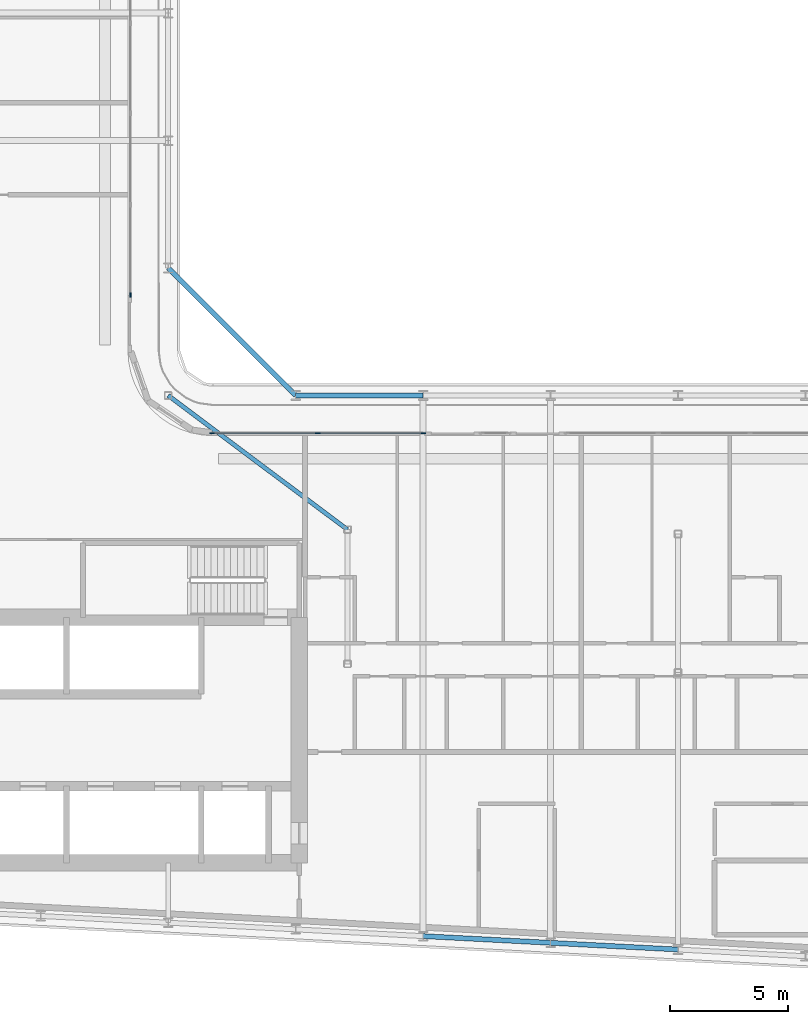
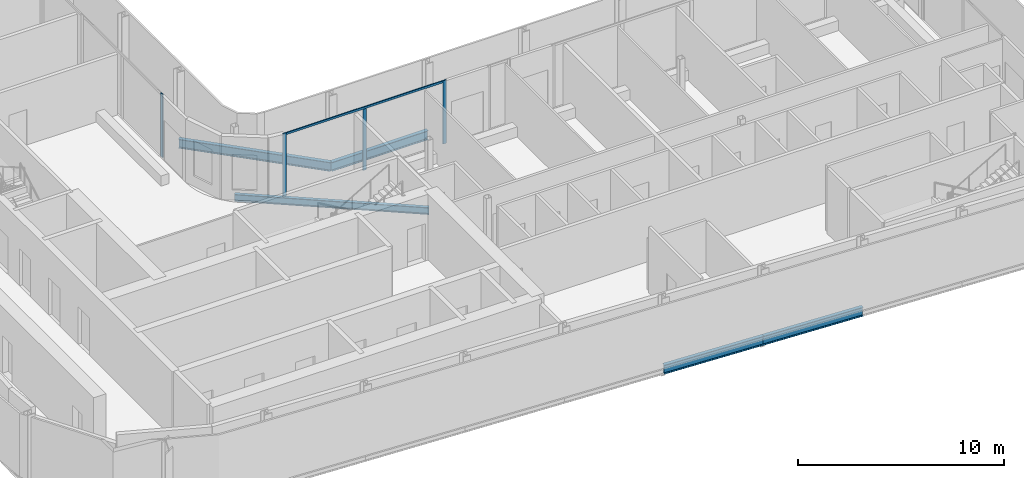
# One storey, part 4 of 23: 5 beams, 5 members, 2 elements without a shape of their own.
"""IFC4 building model written with IfcOpenShell, lengths in metres."""

from ifc_helpers import new_model, si_unit, direction, frame, origin, origin_2d, place, context, subcontext, project, spatial, rectangle, i_section, extrude, material, layer, layer_set, material_profile, profile_set, type_object, element, aggregate, save


model = new_model("IFC4")

# Units and contexts
model_context = context("Model", 3, precision=1e-05, world=origin(), true_north=direction((0.0, 1.0)))
body_context = subcontext(model_context, "Body", "Model", "MODEL_VIEW")
ifc_project = project(units=[si_unit("LENGTHUNIT", "METRE"), si_unit("AREAUNIT", "SQUARE_METRE"), si_unit("VOLUMEUNIT", "CUBIC_METRE"), si_unit("PLANEANGLEUNIT", "RADIAN"), si_unit("MASSUNIT", "GRAM", prefix="KILO")], contexts=[model_context])

# Site, building, storey
site_placement = place(None, origin())
site = spatial("IfcSite", under=ifc_project, at=site_placement, CompositionType="ELEMENT")
building_placement = place(site_placement, origin())
building = spatial("IfcBuilding", under=site, at=building_placement, Name="Kheshtan School and Residences Tower", CompositionType="ELEMENT")
storey_placement = place(building_placement, frame((0.0, 0.0, 259.10009765625)))
storey = spatial("IfcBuildingStorey", under=building, at=storey_placement, Name="L61", CompositionType="ELEMENT", Elevation=259.10009765625)

# Beams
ifc_material_1 = material(Name="Steel ASTM A992 Grade 50", Category="steel")
ifc_material_profile_1 = material_profile(ifc_material_1, i_section(OverallWidth=0.180908203125, OverallDepth=0.4169921875, WebThickness=0.010986328125, FlangeThickness=0.018310546875, FilletRadius=0.012451171875, at=origin_2d()), Name="W410x85")
ifc_profile_set_1 = profile_set([ifc_material_profile_1], Name="Steel ASTM A992 Grade 50")
beam_type_1 = type_object("IfcBeamType", Name="Beam FB3 W410x85 ASTM A992 Grade 50", PredefinedType="BEAM", material=ifc_profile_set_1)
beam_1_placement = place(storey_placement, frame((47.60009765625, 45.60009765625, -0.358642578125), z_axis=(0.800798828004, -0.598933416222, 0.0), x_axis=(0.598933416222, 0.800798828004, 0.0)))
element("IfcBeam", 1, at=beam_1_placement, inside=storey, type_object=beam_type_1, Name="Floor beam IC", PredefinedType="BEAM", context=body_context, shape_type="SweptSolid", body=[
    extrude(i_section(OverallWidth=0.180908203125, OverallDepth=0.4169921875, WebThickness=0.010986328125, FlangeThickness=0.018310546875, FilletRadius=0.012451171875, at=origin_2d()), origin(), (0.0, 0.0, 1.0), 9.490234375),
])
ifc_material_profile_2 = material_profile(ifc_material_1, i_section(OverallWidth=0.208984375, OverallDepth=0.532958984375, WebThickness=0.01025390625, FlangeThickness=0.015625, FilletRadius=0.013916015625, at=origin_2d()), Name="W530x92")
ifc_profile_set_2 = profile_set([ifc_material_profile_2], Name="Steel ASTM A992 Grade 50")
beam_type_2 = type_object("IfcBeamType", Name="Beam SP3 W530x92 ASTM A992 Grade 50", PredefinedType="BEAM", material=ifc_profile_set_2)
beam_2_placement = place(storey_placement, frame((47.60009765625, 51.0, -0.41650390625), z_axis=(0.707106781187, -0.707106781187, 0.0), x_axis=(0.707106781187, 0.707106781187, 0.0)))
element("IfcBeam", 2, at=beam_2_placement, inside=storey, type_object=beam_type_2, Name="Spandrel beam C079-C061", PredefinedType="BEAM", context=body_context, shape_type="SweptSolid", body=[
    extrude(i_section(OverallWidth=0.208984375, OverallDepth=0.532958984375, WebThickness=0.01025390625, FlangeThickness=0.015625, FilletRadius=0.013916015625, at=origin_2d()), origin(), (0.0, 0.0, 1.0), 7.63671875),
])
beam_3_placement = place(storey_placement, frame((53.0, 45.60009765625, -0.41650390625), z_axis=(1.0, 0.0, 0.0), x_axis=(0.0, 1.0, 0.0)))
element("IfcBeam", 3, at=beam_3_placement, inside=storey, type_object=beam_type_2, Name="Spandrel beam C061-C062", PredefinedType="BEAM", context=body_context, shape_type="SweptSolid", body=[
    extrude(i_section(OverallWidth=0.208984375, OverallDepth=0.532958984375, WebThickness=0.01025390625, FlangeThickness=0.015625, FilletRadius=0.013916015625, at=origin_2d()), origin(), (0.0, 0.0, 1.0), 5.39990234375),
])
beam_4_placement = place(storey_placement, frame((69.199951171875, 22.126953125, -0.41650390625), z_axis=(-0.998620447272, 0.05250906864, 0.0), x_axis=(-0.05250906864, -0.998620447272, 0.0)))
element("IfcBeam", 4, at=beam_4_placement, inside=storey, type_object=beam_type_2, Name="Spandrel beam C014-C016", PredefinedType="BEAM", context=body_context, shape_type="SweptSolid", body=[
    extrude(i_section(OverallWidth=0.208984375, OverallDepth=0.532958984375, WebThickness=0.01025390625, FlangeThickness=0.015625, FilletRadius=0.013916015625, at=origin_2d()), origin(), (0.0, 0.0, 1.0), 5.407470703125),
])
beam_5_placement = place(storey_placement, frame((63.800048828125, 22.410888671875, -0.41650390625), z_axis=(-0.998618203458, 0.052551724256, 0.0), x_axis=(-0.052551724256, -0.998618203458, 0.0)))
element("IfcBeam", 5, at=beam_5_placement, inside=storey, type_object=beam_type_2, Name="Spandrel beam C016-C018", PredefinedType="BEAM", context=body_context, shape_type="SweptSolid", body=[
    extrude(i_section(OverallWidth=0.208984375, OverallDepth=0.532958984375, WebThickness=0.01025390625, FlangeThickness=0.015625, FilletRadius=0.013916015625, at=origin_2d()), origin(), (0.0, 0.0, 1.0), 5.40771484375),
])

# Curtain wall, member
ifc_material_2 = material(Name="Clear low-e glass in thermally broken aluminium frame", Category="aluminium")
ifc_layer = layer(ifc_material_2, 0.199951171875)
ifc_layer_set = layer_set([ifc_layer], Name="Curtain wall CW-L")
curtain_wall_type = type_object("IfcCurtainWallType", Name="Curtain wall CW-L", PredefinedType="NOTDEFINED", material=ifc_layer_set)
curtain_wall_1_placement = place(storey_placement, origin())
curtain_wall_1 = element("IfcCurtainWall", 6, at=curtain_wall_1_placement, inside=storey, type_object=curtain_wall_type, Name="Curtain wall CWL8", PredefinedType="NOTDEFINED")
ifc_material_3 = material(Name="Thermally broken aluminium, dark bronze anodised", Category="aluminium")
ifc_material_profile_3 = material_profile(ifc_material_3, rectangle(XDim=0.06005859375, YDim=0.199951171875, at=origin_2d()), Name="CW-L mullion 60x200")
ifc_profile_set_3 = profile_set([ifc_material_profile_3], Name="Thermally broken aluminium, dark bronze anodised")
member_type_1 = type_object("IfcMemberType", Name="CW-L mullion 60x200", PredefinedType="MULLION", material=ifc_profile_set_3)
member_1_placement = place(storey_placement, frame((46.0, 49.860107421875, 0.0), z_axis=(0.0, 0.0, 1.0), x_axis=(1.0, 0.0, 0.0)))
member_1 = element("IfcMember", 7, at=member_1_placement, type_object=member_type_1, Name="CWL8 mullion 3", PredefinedType="MULLION", context=body_context, shape_type="SweptSolid", body=[
    extrude(rectangle(XDim=0.06005859375, YDim=0.199951171875, at=origin_2d()), origin(), (0.0, 0.0, 1.0), 3.75),
])
aggregate(curtain_wall_1, [member_1])

# Curtain wall, members
curtain_wall_2_placement = place(storey_placement, origin())
curtain_wall_2 = element("IfcCurtainWall", 8, at=curtain_wall_2_placement, inside=storey, type_object=curtain_wall_type, Name="Curtain wall CWL1231", PredefinedType="NOTDEFINED")
member_2_placement = place(storey_placement, frame((49.4599609375, 44.0, 0.0), z_axis=(0.0, 0.0, 1.0), x_axis=(0.0, 1.0, 0.0)))
member_2 = element("IfcMember", 9, at=member_2_placement, type_object=member_type_1, Name="CWL1231 mullion 1", PredefinedType="MULLION", context=body_context, shape_type="SweptSolid", body=[
    extrude(rectangle(XDim=0.06005859375, YDim=0.199951171875, at=origin_2d()), origin(), (0.0, 0.0, 1.0), 3.75),
])
member_3_placement = place(storey_placement, frame((53.941650390625, 44.0, 0.0), z_axis=(0.0, 0.0, 1.0), x_axis=(0.0, 1.0, 0.0)))
member_3 = element("IfcMember", 10, at=member_3_placement, type_object=member_type_1, Name="CWL1231 mullion 2", PredefinedType="MULLION", context=body_context, shape_type="SweptSolid", body=[
    extrude(rectangle(XDim=0.06005859375, YDim=0.199951171875, at=origin_2d()), origin(), (0.0, 0.0, 1.0), 3.6298828125),
])
member_4_placement = place(storey_placement, frame((58.42333984375, 44.0, 0.0), z_axis=(0.0, 0.0, 1.0), x_axis=(0.0, 1.0, 0.0)))
member_4 = element("IfcMember", 11, at=member_4_placement, type_object=member_type_1, Name="CWL1231 mullion 3", PredefinedType="MULLION", context=body_context, shape_type="SweptSolid", body=[
    extrude(rectangle(XDim=0.06005859375, YDim=0.199951171875, at=origin_2d()), origin(), (0.0, 0.0, 1.0), 3.75),
])
ifc_material_profile_4 = material_profile(ifc_material_3, rectangle(XDim=0.06005859375, YDim=0.1201171875, at=origin_2d()), Name="CW-L transom 60x120")
ifc_profile_set_4 = profile_set([ifc_material_profile_4], Name="Thermally broken aluminium, dark bronze anodised")
member_type_2 = type_object("IfcMemberType", Name="CW-L transom 60x120", PredefinedType="USERDEFINED", material=ifc_profile_set_4)
member_5_placement = place(storey_placement, frame((49.489990234375, 44.0, 3.68994140625), z_axis=(1.0, 0.0, 0.0), x_axis=(0.0, 1.0, 0.0)))
member_5 = element("IfcMember", 12, at=member_5_placement, type_object=member_type_2, Name="CWL1231 transom 1", ObjectType="TRANSOM", PredefinedType="USERDEFINED", context=body_context, shape_type="SweptSolid", body=[
    extrude(rectangle(XDim=0.06005859375, YDim=0.1201171875, at=origin_2d()), origin(), (0.0, 0.0, 1.0), 8.9033203125),
])
aggregate(curtain_wall_2, [member_2, member_3, member_4, member_5])

save(model, "model.ifc")
